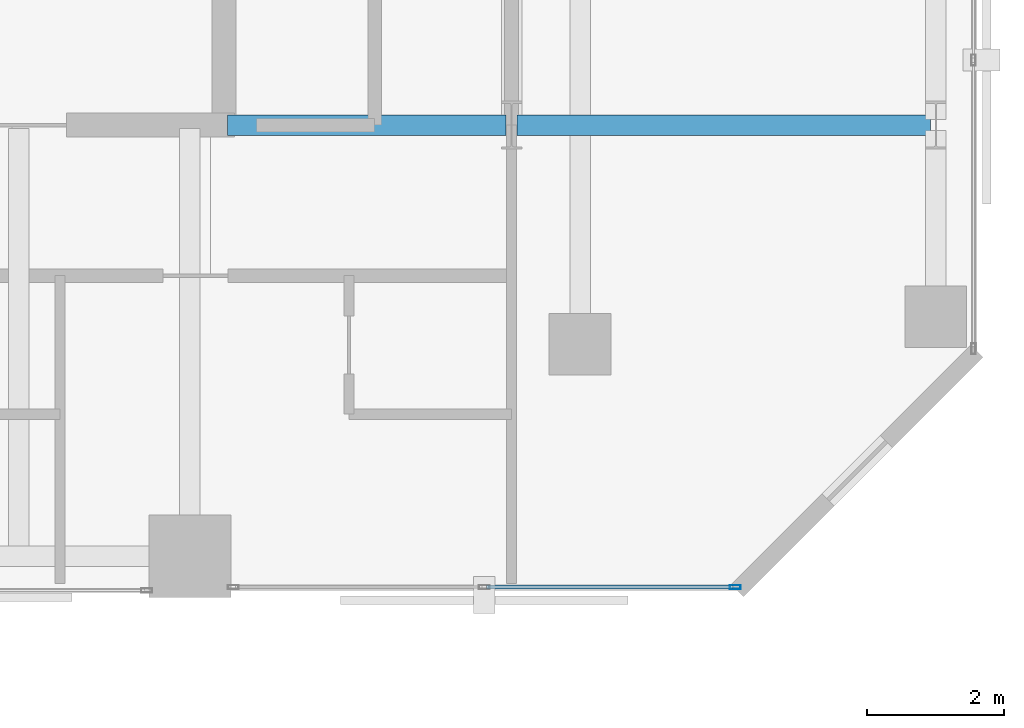
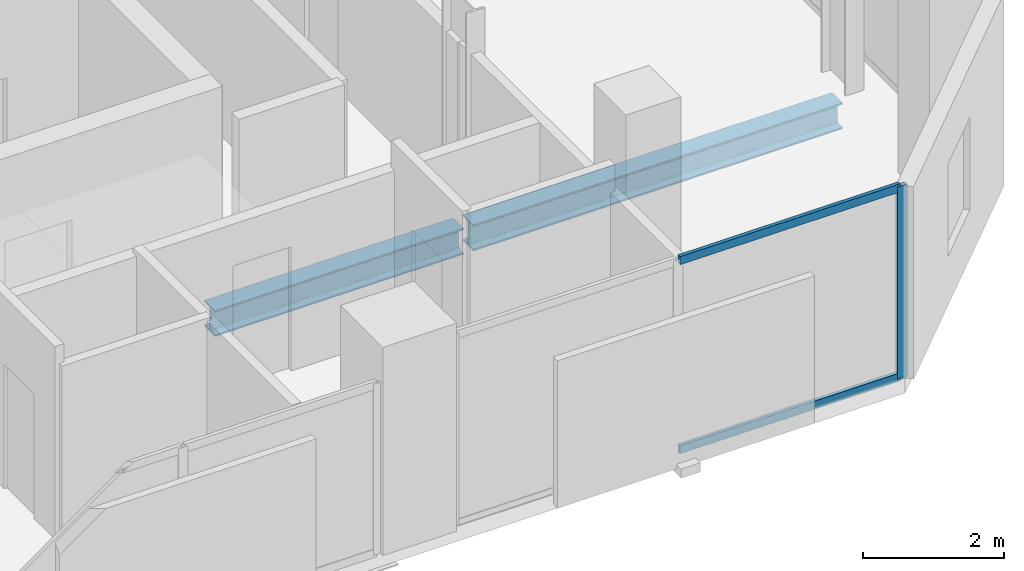
# One storey, part 15 of 34: 3 members, 2 beams, 1 element without a shape of its own.
"""IFC4 building model written with IfcOpenShell, lengths in metres."""

from ifc_helpers import new_model, si_unit, direction, frame, origin, origin_2d, place, context, subcontext, project, spatial, hollow_rectangle, i_section, extrude, material, layer, layer_set, material_profile, profile_set, type_object, element, aggregate, save


model = new_model("IFC4")

# Units and contexts
model_context = context("Model", 3, precision=1e-05, world=origin(), true_north=direction((0.0, 1.0)))
body_context = subcontext(model_context, "Body", "Model", "MODEL_VIEW")
ifc_project = project(units=[si_unit("LENGTHUNIT", "METRE"), si_unit("AREAUNIT", "SQUARE_METRE"), si_unit("VOLUMEUNIT", "CUBIC_METRE"), si_unit("PLANEANGLEUNIT", "RADIAN"), si_unit("MASSUNIT", "GRAM", prefix="KILO")], contexts=[model_context])

# Site, building, storey
site_placement = place(None, origin())
site = spatial("IfcSite", under=ifc_project, at=site_placement, CompositionType="ELEMENT")
building_placement = place(site_placement, origin())
building = spatial("IfcBuilding", under=site, at=building_placement, Name="Catumbela Crestline Tower", CompositionType="ELEMENT")
storey_placement = place(building_placement, frame((0.0, 0.0, 115.2)))
storey = spatial("IfcBuildingStorey", under=building, at=storey_placement, Name="L29", CompositionType="ELEMENT", Elevation=115.2)

# Beams
ifc_material_1 = material(Name="Structural steel S355J2", Category="steel")
ifc_material_profile_1 = material_profile(ifc_material_1, i_section(OverallWidth=0.3, OverallDepth=0.45, WebThickness=0.014, FlangeThickness=0.026, FilletRadius=0.027, at=origin_2d()), Name="HEB 450")
ifc_profile_set_1 = profile_set([ifc_material_profile_1], Name="Structural steel S355J2")
beam_type = type_object("IfcBeamType", Name="BG-HEB450", PredefinedType="BEAM", material=ifc_profile_set_1)
beam_1_placement = place(storey_placement, frame((40.05, 30.8, -0.485), z_axis=(1.0, 0.0, 0.0), x_axis=(0.0, 1.0, 0.0)))
element("IfcBeam", 1, at=beam_1_placement, inside=storey, type_object=beam_type, Name="L29 Beam BM-L29-M10", PredefinedType="BEAM", context=body_context, shape_type="SweptSolid", body=[
    extrude(i_section(OverallWidth=0.3, OverallDepth=0.45, WebThickness=0.014, FlangeThickness=0.026, FilletRadius=0.027, at=origin_2d()), origin(), (0.0, 0.0, 1.0), 4.07),
])
beam_2_placement = place(storey_placement, frame((44.28, 30.8, -0.485), z_axis=(1.0, 0.0, 0.0), x_axis=(0.0, 1.0, 0.0)))
element("IfcBeam", 2, at=beam_2_placement, inside=storey, type_object=beam_type, Name="L29 Beam BM-L29-M11", PredefinedType="BEAM", context=body_context, shape_type="SweptSolid", body=[
    extrude(i_section(OverallWidth=0.3, OverallDepth=0.45, WebThickness=0.014, FlangeThickness=0.026, FilletRadius=0.027, at=origin_2d()), origin(), (0.0, 0.0, 1.0), 6.04),
])

# Curtain wall, members
ifc_material_2 = material(Name="Aluminium alloy AW-6060-T66", Category="aluminium")
ifc_layer = layer(ifc_material_2, 0.18, Name="Aluminium alloy AW-6060-T66")
ifc_layer_set = layer_set([ifc_layer], Name="Aluminium alloy AW-6060-T66")
curtain_wall_type = type_object("IfcCurtainWallType", Name="CWU-Z2", PredefinedType="USERDEFINED", material=ifc_layer_set)
curtain_wall_placement = place(storey_placement, origin())
curtain_wall = element("IfcCurtainWall", 3, at=curtain_wall_placement, inside=storey, type_object=curtain_wall_type, Name="L29 Unitised Curtain Wall CW-L29-E3S3", ObjectType="UNITISED", PredefinedType="USERDEFINED")
ifc_material_profile_2 = material_profile(ifc_material_2, hollow_rectangle(XDim=0.06, YDim=0.16, WallThickness=0.004, at=origin_2d()), Name="ALU 160x60x4")
ifc_profile_set_2 = profile_set([ifc_material_profile_2], Name="Aluminium alloy AW-6060-T66")
member_type_1 = type_object("IfcMemberType", Name="MUL-160X60", PredefinedType="MULLION", material=ifc_profile_set_2)
member_1_placement = place(storey_placement, frame((47.4675, 24.05, 0.0), z_axis=(0.0, 0.0, 1.0), x_axis=(0.0, 1.0, 0.0)))
member_1 = element("IfcMember", 4, at=member_1_placement, type_object=member_type_1, Name="CWU-Z2 mullion 3", PredefinedType="MULLION", context=body_context, shape_type="SweptSolid", body=[
    extrude(hollow_rectangle(XDim=0.06, YDim=0.16, WallThickness=0.004, at=origin_2d()), origin(), (0.0, 0.0, 1.0), 3.33),
])
ifc_material_profile_3 = material_profile(ifc_material_2, hollow_rectangle(XDim=0.06, YDim=0.14, WallThickness=0.004, at=origin_2d()), Name="ALU 140x60x4")
ifc_profile_set_3 = profile_set([ifc_material_profile_3], Name="Aluminium alloy AW-6060-T66")
member_type_2 = type_object("IfcMemberType", Name="TRN-140X60", PredefinedType="USERDEFINED", material=ifc_profile_set_3)
member_2_placement = place(storey_placement, frame((43.8325, 24.05, 0.03), z_axis=(1.0, 0.0, 0.0), x_axis=(0.0, 1.0, 0.0)))
member_2 = element("IfcMember", 5, at=member_2_placement, type_object=member_type_2, Name="CWU-Z2 transom 2.1", ObjectType="TRANSOM", PredefinedType="USERDEFINED", context=body_context, shape_type="SweptSolid", body=[
    extrude(hollow_rectangle(XDim=0.06, YDim=0.14, WallThickness=0.004, at=origin_2d()), origin(), (0.0, 0.0, 1.0), 3.6025),
])
member_3_placement = place(storey_placement, frame((43.8325, 24.05, 3.3), z_axis=(1.0, 0.0, 0.0), x_axis=(0.0, 1.0, 0.0)))
member_3 = element("IfcMember", 6, at=member_3_placement, type_object=member_type_2, Name="CWU-Z2 transom 2.2", ObjectType="TRANSOM", PredefinedType="USERDEFINED", context=body_context, shape_type="SweptSolid", body=[
    extrude(hollow_rectangle(XDim=0.06, YDim=0.14, WallThickness=0.004, at=origin_2d()), origin(), (0.0, 0.0, 1.0), 3.6025),
])
aggregate(curtain_wall, [member_1, member_2, member_3])

save(model, "model.ifc")
